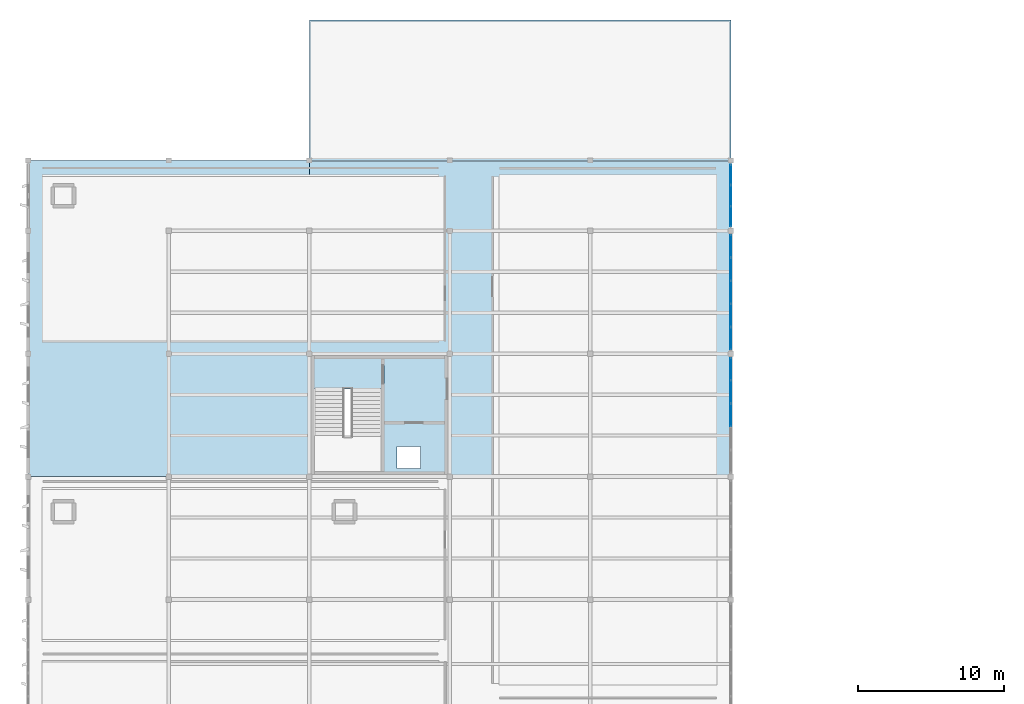
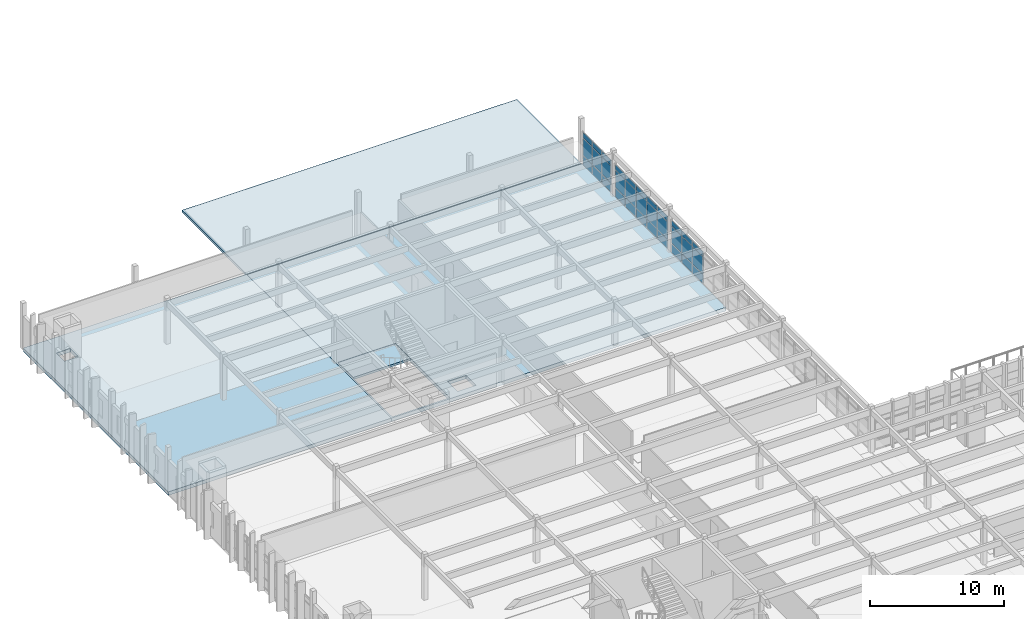
# One storey, part 33 of 61: 33 plates, 4 slabs, 3 elements without a shape of their own.
"""IFC4 building model written with IfcOpenShell, lengths in metres."""

from ifc_helpers import new_model, si_unit, direction, frame, origin, origin_2d, place, context, subcontext, project, spatial, polyline, rectangle, outline, extrude, material, layer, layer_set, type_object, element, aggregate, save


model = new_model("IFC4")

# Units and contexts
model_context = context("Model", 3, precision=1e-05, world=origin(), true_north=direction((0.0, 1.0)))
body_context = subcontext(model_context, "Body", "Model", "MODEL_VIEW")
ifc_project = project(units=[si_unit("LENGTHUNIT", "METRE"), si_unit("AREAUNIT", "SQUARE_METRE"), si_unit("VOLUMEUNIT", "CUBIC_METRE"), si_unit("PLANEANGLEUNIT", "RADIAN"), si_unit("MASSUNIT", "GRAM", prefix="KILO")], contexts=[model_context])

# Site, building, storey
site_placement = place(None, origin())
site = spatial("IfcSite", under=ifc_project, at=site_placement, CompositionType="ELEMENT")
building_placement = place(site_placement, origin())
building = spatial("IfcBuilding", under=site, at=building_placement, Name="Kolvemor Railside Polytechnic", CompositionType="ELEMENT")
storey_placement = place(building_placement, frame((0.0, 0.0, 10.199951171875)))
storey = spatial("IfcBuildingStorey", under=building, at=storey_placement, Name="L02", CompositionType="ELEMENT", Elevation=10.199951171875)

# Curtain wall, plates
ifc_material_1 = material(Name="Anodised marine aluminium and laminated low-E glass", Category="aluminium")
ifc_layer_1 = layer(ifc_material_1, 0.179931640625, Name="CW-UNIT-STD")
ifc_layer_set_1 = layer_set([ifc_layer_1], Name="Anodised marine aluminium and laminated low-E glass")
curtain_wall_type = type_object("IfcCurtainWallType", Name="CW-UNIT-STD", PredefinedType="USERDEFINED", material=ifc_layer_set_1)
curtain_wall_1_placement = place(storey_placement, origin())
curtain_wall_1 = element("IfcCurtainWall", 1, at=curtain_wall_1_placement, inside=storey, type_object=curtain_wall_type, Name="Curtain Wall L02-077", ObjectType="UNITISED CURTAIN WALL", PredefinedType="USERDEFINED")
ifc_material_2 = material(Name="Hurricane-laminated solar-control low-E glass", Category="glass")
ifc_layer_2 = layer(ifc_material_2, 0.0400390625, Name="CWP-GLZ-10")
ifc_layer_set_2 = layer_set([ifc_layer_2], Name="Hurricane-laminated solar-control low-E glass")
plate_type_1 = type_object("IfcPlateType", Name="CWP-GLZ-10", PredefinedType="CURTAIN_PANEL", material=ifc_layer_set_2)
plate_1_placement = place(storey_placement, frame((48.0, 64.199951171875, 0.06494140625), z_axis=(0.0, 0.0, 1.0), x_axis=(0.0, 1.0, 0.0)))
plate_1 = element("IfcPlate", 2, at=plate_1_placement, type_object=plate_type_1, Name="CW-STD panel 3.1", PredefinedType="CURTAIN_PANEL", context=body_context, shape_type="SweptSolid", body=[
    extrude(rectangle(XDim=1.51904296875, YDim=0.0400390625, at=origin_2d()), origin(), (0.0, 0.0, 1.0), 0.802490234375),
])
plate_2_placement = place(storey_placement, frame((48.0, 64.199951171875, 0.9326171875), z_axis=(0.0, 0.0, 1.0), x_axis=(0.0, 1.0, 0.0)))
plate_2 = element("IfcPlate", 3, at=plate_2_placement, type_object=plate_type_1, Name="CW-STD panel 3.2", PredefinedType="CURTAIN_PANEL", context=body_context, shape_type="SweptSolid", body=[
    extrude(rectangle(XDim=1.51904296875, YDim=0.0400390625, at=origin_2d()), origin(), (0.0, 0.0, 1.0), 1.534912109375),
])
plate_3_placement = place(storey_placement, frame((48.0, 64.199951171875, 2.53271484375), z_axis=(0.0, 0.0, 1.0), x_axis=(0.0, 1.0, 0.0)))
plate_3 = element("IfcPlate", 4, at=plate_3_placement, type_object=plate_type_1, Name="CW-STD panel 3.3", PredefinedType="CURTAIN_PANEL", context=body_context, shape_type="SweptSolid", body=[
    extrude(rectangle(XDim=1.51904296875, YDim=0.0400390625, at=origin_2d()), origin(), (0.0, 0.0, 1.0), 0.452392578125),
])
plate_4_placement = place(storey_placement, frame((48.0, 65.783935546875, 0.06494140625), z_axis=(0.0, 0.0, 1.0), x_axis=(0.0, 1.0, 0.0)))
plate_4 = element("IfcPlate", 5, at=plate_4_placement, type_object=plate_type_1, Name="CW-STD panel 4.1", PredefinedType="CURTAIN_PANEL", context=body_context, shape_type="SweptSolid", body=[
    extrude(rectangle(XDim=1.51904296875, YDim=0.0400390625, at=origin_2d()), origin(), (0.0, 0.0, 1.0), 0.802490234375),
])
plate_5_placement = place(storey_placement, frame((48.0, 65.783935546875, 0.9326171875), z_axis=(0.0, 0.0, 1.0), x_axis=(0.0, 1.0, 0.0)))
plate_5 = element("IfcPlate", 6, at=plate_5_placement, type_object=plate_type_1, Name="CW-STD panel 4.2", PredefinedType="CURTAIN_PANEL", context=body_context, shape_type="SweptSolid", body=[
    extrude(rectangle(XDim=1.51904296875, YDim=0.0400390625, at=origin_2d()), origin(), (0.0, 0.0, 1.0), 1.534912109375),
])
plate_6_placement = place(storey_placement, frame((48.0, 65.783935546875, 2.53271484375), z_axis=(0.0, 0.0, 1.0), x_axis=(0.0, 1.0, 0.0)))
plate_6 = element("IfcPlate", 7, at=plate_6_placement, type_object=plate_type_1, Name="CW-STD panel 4.3", PredefinedType="CURTAIN_PANEL", context=body_context, shape_type="SweptSolid", body=[
    extrude(rectangle(XDim=1.51904296875, YDim=0.0400390625, at=origin_2d()), origin(), (0.0, 0.0, 1.0), 0.452392578125),
])
plate_7_placement = place(storey_placement, frame((48.0, 67.351806640625, 0.06494140625), z_axis=(0.0, 0.0, 1.0), x_axis=(0.0, 1.0, 0.0)))
plate_7 = element("IfcPlate", 8, at=plate_7_placement, type_object=plate_type_1, Name="CW-STD panel 5.1", PredefinedType="CURTAIN_PANEL", context=body_context, shape_type="SweptSolid", body=[
    extrude(rectangle(XDim=1.486572265625, YDim=0.0400390625, at=origin_2d()), origin(), (0.0, 0.0, 1.0), 0.802490234375),
])
plate_8_placement = place(storey_placement, frame((48.0, 67.351806640625, 0.9326171875), z_axis=(0.0, 0.0, 1.0), x_axis=(0.0, 1.0, 0.0)))
plate_8 = element("IfcPlate", 9, at=plate_8_placement, type_object=plate_type_1, Name="CW-STD panel 5.2", PredefinedType="CURTAIN_PANEL", context=body_context, shape_type="SweptSolid", body=[
    extrude(rectangle(XDim=1.486572265625, YDim=0.0400390625, at=origin_2d()), origin(), (0.0, 0.0, 1.0), 1.534912109375),
])
plate_9_placement = place(storey_placement, frame((48.0, 67.351806640625, 2.53271484375), z_axis=(0.0, 0.0, 1.0), x_axis=(0.0, 1.0, 0.0)))
plate_9 = element("IfcPlate", 10, at=plate_9_placement, type_object=plate_type_1, Name="CW-STD panel 5.3", PredefinedType="CURTAIN_PANEL", context=body_context, shape_type="SweptSolid", body=[
    extrude(rectangle(XDim=1.486572265625, YDim=0.0400390625, at=origin_2d()), origin(), (0.0, 0.0, 1.0), 0.452392578125),
])
aggregate(curtain_wall_1, [plate_1, plate_2, plate_3, plate_4, plate_5, plate_6, plate_7, plate_8, plate_9])

curtain_wall_2_placement = place(storey_placement, origin())
curtain_wall_2 = element("IfcCurtainWall", 11, at=curtain_wall_2_placement, inside=storey, type_object=curtain_wall_type, Name="Curtain Wall L02-084", ObjectType="UNITISED CURTAIN WALL", PredefinedType="USERDEFINED")
ifc_material_3 = material(Name="Hurricane-laminated solar-control low-E glass", Category="glass")
ifc_layer_3 = layer(ifc_material_3, 0.0419921875, Name="CWP-GLZ-11")
ifc_layer_set_3 = layer_set([ifc_layer_3], Name="Hurricane-laminated solar-control low-E glass")
plate_type_2 = type_object("IfcPlateType", Name="CWP-GLZ-11", PredefinedType="CURTAIN_PANEL", material=ifc_layer_set_3)
plate_10_placement = place(storey_placement, frame((48.0, 69.4482421875, 0.06494140625), z_axis=(0.0, 0.0, 1.0), x_axis=(0.0, 1.0, 0.0)))
plate_10 = element("IfcPlate", 12, at=plate_10_placement, type_object=plate_type_2, Name="CW-STD panel 1.1", PredefinedType="CURTAIN_PANEL", context=body_context, shape_type="SweptSolid", body=[
    extrude(rectangle(XDim=1.486572265625, YDim=0.0419921875, at=origin_2d()), origin(), (0.0, 0.0, 1.0), 0.802490234375),
])
plate_11_placement = place(storey_placement, frame((48.0, 69.4482421875, 0.9326171875), z_axis=(0.0, 0.0, 1.0), x_axis=(0.0, 1.0, 0.0)))
plate_11 = element("IfcPlate", 13, at=plate_11_placement, type_object=plate_type_2, Name="CW-STD panel 1.2", PredefinedType="CURTAIN_PANEL", context=body_context, shape_type="SweptSolid", body=[
    extrude(rectangle(XDim=1.486572265625, YDim=0.0419921875, at=origin_2d()), origin(), (0.0, 0.0, 1.0), 1.534912109375),
])
plate_12_placement = place(storey_placement, frame((48.0, 69.4482421875, 2.53271484375), z_axis=(0.0, 0.0, 1.0), x_axis=(0.0, 1.0, 0.0)))
plate_12 = element("IfcPlate", 14, at=plate_12_placement, type_object=plate_type_2, Name="CW-STD panel 1.3", PredefinedType="CURTAIN_PANEL", context=body_context, shape_type="SweptSolid", body=[
    extrude(rectangle(XDim=1.486572265625, YDim=0.0419921875, at=origin_2d()), origin(), (0.0, 0.0, 1.0), 0.452392578125),
])
plate_13_placement = place(storey_placement, frame((48.0, 71.01611328125, 0.06494140625), z_axis=(0.0, 0.0, 1.0), x_axis=(0.0, 1.0, 0.0)))
plate_13 = element("IfcPlate", 15, at=plate_13_placement, type_object=plate_type_2, Name="CW-STD panel 2.1", PredefinedType="CURTAIN_PANEL", context=body_context, shape_type="SweptSolid", body=[
    extrude(rectangle(XDim=1.51904296875, YDim=0.0419921875, at=origin_2d()), origin(), (0.0, 0.0, 1.0), 0.802490234375),
])
plate_14_placement = place(storey_placement, frame((48.0, 71.01611328125, 0.9326171875), z_axis=(0.0, 0.0, 1.0), x_axis=(0.0, 1.0, 0.0)))
plate_14 = element("IfcPlate", 16, at=plate_14_placement, type_object=plate_type_2, Name="CW-STD panel 2.2", PredefinedType="CURTAIN_PANEL", context=body_context, shape_type="SweptSolid", body=[
    extrude(rectangle(XDim=1.51904296875, YDim=0.0419921875, at=origin_2d()), origin(), (0.0, 0.0, 1.0), 1.534912109375),
])
plate_15_placement = place(storey_placement, frame((48.0, 71.01611328125, 2.53271484375), z_axis=(0.0, 0.0, 1.0), x_axis=(0.0, 1.0, 0.0)))
plate_15 = element("IfcPlate", 17, at=plate_15_placement, type_object=plate_type_2, Name="CW-STD panel 2.3", PredefinedType="CURTAIN_PANEL", context=body_context, shape_type="SweptSolid", body=[
    extrude(rectangle(XDim=1.51904296875, YDim=0.0419921875, at=origin_2d()), origin(), (0.0, 0.0, 1.0), 0.452392578125),
])
plate_16_placement = place(storey_placement, frame((48.0, 72.60009765625, 0.06494140625), z_axis=(0.0, 0.0, 1.0), x_axis=(0.0, 1.0, 0.0)))
plate_16 = element("IfcPlate", 18, at=plate_16_placement, type_object=plate_type_2, Name="CW-STD panel 3.1", PredefinedType="CURTAIN_PANEL", context=body_context, shape_type="SweptSolid", body=[
    extrude(rectangle(XDim=1.51904296875, YDim=0.0419921875, at=origin_2d()), origin(), (0.0, 0.0, 1.0), 0.802490234375),
])
plate_17_placement = place(storey_placement, frame((48.0, 72.60009765625, 0.9326171875), z_axis=(0.0, 0.0, 1.0), x_axis=(0.0, 1.0, 0.0)))
plate_17 = element("IfcPlate", 19, at=plate_17_placement, type_object=plate_type_2, Name="CW-STD panel 3.2", PredefinedType="CURTAIN_PANEL", context=body_context, shape_type="SweptSolid", body=[
    extrude(rectangle(XDim=1.51904296875, YDim=0.0419921875, at=origin_2d()), origin(), (0.0, 0.0, 1.0), 1.534912109375),
])
plate_18_placement = place(storey_placement, frame((48.0, 72.60009765625, 2.53271484375), z_axis=(0.0, 0.0, 1.0), x_axis=(0.0, 1.0, 0.0)))
plate_18 = element("IfcPlate", 20, at=plate_18_placement, type_object=plate_type_2, Name="CW-STD panel 3.3", PredefinedType="CURTAIN_PANEL", context=body_context, shape_type="SweptSolid", body=[
    extrude(rectangle(XDim=1.51904296875, YDim=0.0419921875, at=origin_2d()), origin(), (0.0, 0.0, 1.0), 0.452392578125),
])
plate_19_placement = place(storey_placement, frame((48.0, 74.18408203125, 0.06494140625), z_axis=(0.0, 0.0, 1.0), x_axis=(0.0, 1.0, 0.0)))
plate_19 = element("IfcPlate", 21, at=plate_19_placement, type_object=plate_type_2, Name="CW-STD panel 4.1", PredefinedType="CURTAIN_PANEL", context=body_context, shape_type="SweptSolid", body=[
    extrude(rectangle(XDim=1.51904296875, YDim=0.0419921875, at=origin_2d()), origin(), (0.0, 0.0, 1.0), 0.802490234375),
])
plate_20_placement = place(storey_placement, frame((48.0, 74.18408203125, 0.9326171875), z_axis=(0.0, 0.0, 1.0), x_axis=(0.0, 1.0, 0.0)))
plate_20 = element("IfcPlate", 22, at=plate_20_placement, type_object=plate_type_2, Name="CW-STD panel 4.2", PredefinedType="CURTAIN_PANEL", context=body_context, shape_type="SweptSolid", body=[
    extrude(rectangle(XDim=1.51904296875, YDim=0.0419921875, at=origin_2d()), origin(), (0.0, 0.0, 1.0), 1.534912109375),
])
plate_21_placement = place(storey_placement, frame((48.0, 74.18408203125, 2.53271484375), z_axis=(0.0, 0.0, 1.0), x_axis=(0.0, 1.0, 0.0)))
plate_21 = element("IfcPlate", 23, at=plate_21_placement, type_object=plate_type_2, Name="CW-STD panel 4.3", PredefinedType="CURTAIN_PANEL", context=body_context, shape_type="SweptSolid", body=[
    extrude(rectangle(XDim=1.51904296875, YDim=0.0419921875, at=origin_2d()), origin(), (0.0, 0.0, 1.0), 0.452392578125),
])
plate_22_placement = place(storey_placement, frame((48.0, 75.751708984375, 0.06494140625), z_axis=(0.0, 0.0, 1.0), x_axis=(0.0, 1.0, 0.0)))
plate_22 = element("IfcPlate", 24, at=plate_22_placement, type_object=plate_type_2, Name="CW-STD panel 5.1", PredefinedType="CURTAIN_PANEL", context=body_context, shape_type="SweptSolid", body=[
    extrude(rectangle(XDim=1.486572265625, YDim=0.0419921875, at=origin_2d()), origin(), (0.0, 0.0, 1.0), 0.802490234375),
])
plate_23_placement = place(storey_placement, frame((48.0, 75.751708984375, 0.9326171875), z_axis=(0.0, 0.0, 1.0), x_axis=(0.0, 1.0, 0.0)))
plate_23 = element("IfcPlate", 25, at=plate_23_placement, type_object=plate_type_2, Name="CW-STD panel 5.2", PredefinedType="CURTAIN_PANEL", context=body_context, shape_type="SweptSolid", body=[
    extrude(rectangle(XDim=1.486572265625, YDim=0.0419921875, at=origin_2d()), origin(), (0.0, 0.0, 1.0), 1.534912109375),
])
plate_24_placement = place(storey_placement, frame((48.0, 75.751708984375, 2.53271484375), z_axis=(0.0, 0.0, 1.0), x_axis=(0.0, 1.0, 0.0)))
plate_24 = element("IfcPlate", 26, at=plate_24_placement, type_object=plate_type_2, Name="CW-STD panel 5.3", PredefinedType="CURTAIN_PANEL", context=body_context, shape_type="SweptSolid", body=[
    extrude(rectangle(XDim=1.486572265625, YDim=0.0419921875, at=origin_2d()), origin(), (0.0, 0.0, 1.0), 0.452392578125),
])
aggregate(curtain_wall_2, [plate_10, plate_11, plate_12, plate_13, plate_14, plate_15, plate_16, plate_17, plate_18, plate_19, plate_20, plate_21, plate_22, plate_23, plate_24])

curtain_wall_3_placement = place(storey_placement, origin())
curtain_wall_3 = element("IfcCurtainWall", 27, at=curtain_wall_3_placement, inside=storey, type_object=curtain_wall_type, Name="Curtain Wall L02-091", ObjectType="UNITISED CURTAIN WALL", PredefinedType="USERDEFINED")
ifc_material_4 = material(Name="Hurricane-laminated solar-control low-E glass", Category="glass")
ifc_layer_4 = layer(ifc_material_4, 0.0439453125, Name="CWP-GLZ-12")
ifc_layer_set_4 = layer_set([ifc_layer_4], Name="Hurricane-laminated solar-control low-E glass")
plate_type_3 = type_object("IfcPlateType", Name="CWP-GLZ-12", PredefinedType="CURTAIN_PANEL", material=ifc_layer_set_4)
plate_25_placement = place(storey_placement, frame((48.0, 77.7763671875, 0.06494140625), z_axis=(0.0, 0.0, 1.0), x_axis=(0.0, 1.0, 0.0)))
plate_25 = element("IfcPlate", 28, at=plate_25_placement, type_object=plate_type_3, Name="CW-STD panel 1.1", PredefinedType="CURTAIN_PANEL", context=body_context, shape_type="SweptSolid", body=[
    extrude(rectangle(XDim=1.342529296875, YDim=0.0439453125, at=origin_2d()), origin(), (0.0, 0.0, 1.0), 0.802490234375),
])
plate_26_placement = place(storey_placement, frame((48.0, 77.7763671875, 0.9326171875), z_axis=(0.0, 0.0, 1.0), x_axis=(0.0, 1.0, 0.0)))
plate_26 = element("IfcPlate", 29, at=plate_26_placement, type_object=plate_type_3, Name="CW-STD panel 1.2", PredefinedType="CURTAIN_PANEL", context=body_context, shape_type="SweptSolid", body=[
    extrude(rectangle(XDim=1.342529296875, YDim=0.0439453125, at=origin_2d()), origin(), (0.0, 0.0, 1.0), 1.534912109375),
])
plate_27_placement = place(storey_placement, frame((48.0, 77.7763671875, 2.53271484375), z_axis=(0.0, 0.0, 1.0), x_axis=(0.0, 1.0, 0.0)))
plate_27 = element("IfcPlate", 30, at=plate_27_placement, type_object=plate_type_3, Name="CW-STD panel 1.3", PredefinedType="CURTAIN_PANEL", context=body_context, shape_type="SweptSolid", body=[
    extrude(rectangle(XDim=1.342529296875, YDim=0.0439453125, at=origin_2d()), origin(), (0.0, 0.0, 1.0), 0.452392578125),
])
plate_28_placement = place(storey_placement, frame((48.0, 79.199951171875, 0.06494140625), z_axis=(0.0, 0.0, 1.0), x_axis=(0.0, 1.0, 0.0)))
plate_28 = element("IfcPlate", 31, at=plate_28_placement, type_object=plate_type_3, Name="CW-STD panel 2.1", PredefinedType="CURTAIN_PANEL", context=body_context, shape_type="SweptSolid", body=[
    extrude(rectangle(XDim=1.375, YDim=0.0439453125, at=origin_2d()), origin(), (0.0, 0.0, 1.0), 0.802490234375),
])
plate_29_placement = place(storey_placement, frame((48.0, 79.199951171875, 0.9326171875), z_axis=(0.0, 0.0, 1.0), x_axis=(0.0, 1.0, 0.0)))
plate_29 = element("IfcPlate", 32, at=plate_29_placement, type_object=plate_type_3, Name="CW-STD panel 2.2", PredefinedType="CURTAIN_PANEL", context=body_context, shape_type="SweptSolid", body=[
    extrude(rectangle(XDim=1.375, YDim=0.0439453125, at=origin_2d()), origin(), (0.0, 0.0, 1.0), 1.534912109375),
])
plate_30_placement = place(storey_placement, frame((48.0, 79.199951171875, 2.53271484375), z_axis=(0.0, 0.0, 1.0), x_axis=(0.0, 1.0, 0.0)))
plate_30 = element("IfcPlate", 33, at=plate_30_placement, type_object=plate_type_3, Name="CW-STD panel 2.3", PredefinedType="CURTAIN_PANEL", context=body_context, shape_type="SweptSolid", body=[
    extrude(rectangle(XDim=1.375, YDim=0.0439453125, at=origin_2d()), origin(), (0.0, 0.0, 1.0), 0.452392578125),
])
plate_31_placement = place(storey_placement, frame((48.0, 80.623779296875, 0.06494140625), z_axis=(0.0, 0.0, 1.0), x_axis=(0.0, 1.0, 0.0)))
plate_31 = element("IfcPlate", 34, at=plate_31_placement, type_object=plate_type_3, Name="CW-STD panel 3.1", PredefinedType="CURTAIN_PANEL", context=body_context, shape_type="SweptSolid", body=[
    extrude(rectangle(XDim=1.342529296875, YDim=0.0439453125, at=origin_2d()), origin(), (0.0, 0.0, 1.0), 0.802490234375),
])
plate_32_placement = place(storey_placement, frame((48.0, 80.623779296875, 0.9326171875), z_axis=(0.0, 0.0, 1.0), x_axis=(0.0, 1.0, 0.0)))
plate_32 = element("IfcPlate", 35, at=plate_32_placement, type_object=plate_type_3, Name="CW-STD panel 3.2", PredefinedType="CURTAIN_PANEL", context=body_context, shape_type="SweptSolid", body=[
    extrude(rectangle(XDim=1.342529296875, YDim=0.0439453125, at=origin_2d()), origin(), (0.0, 0.0, 1.0), 1.534912109375),
])
plate_33_placement = place(storey_placement, frame((48.0, 80.623779296875, 2.53271484375), z_axis=(0.0, 0.0, 1.0), x_axis=(0.0, 1.0, 0.0)))
plate_33 = element("IfcPlate", 36, at=plate_33_placement, type_object=plate_type_3, Name="CW-STD panel 3.3", PredefinedType="CURTAIN_PANEL", context=body_context, shape_type="SweptSolid", body=[
    extrude(rectangle(XDim=1.342529296875, YDim=0.0439453125, at=origin_2d()), origin(), (0.0, 0.0, 1.0), 0.452392578125),
])
aggregate(curtain_wall_3, [plate_25, plate_26, plate_27, plate_28, plate_29, plate_30, plate_31, plate_32, plate_33])

# Slabs
ifc_material_5 = material(Name="Concrete C40/50", Category="concrete")
ifc_layer_5 = layer(ifc_material_5, 0.199951171875, Name="SLB-LND-200")
ifc_layer_set_5 = layer_set([ifc_layer_5], Name="Concrete C40/50")
slab_type_1 = type_object("IfcSlabType", Name="SLB-LND-200", PredefinedType="LANDING", material=ifc_layer_set_5)
slab_1_placement = place(storey_placement, frame((0.0, 0.0, -0.199951171875)))
element("IfcSlab", 37, at=slab_1_placement, inside=storey, type_object=slab_type_1, Name="ST-5 Floor Landing L02", PredefinedType="LANDING", context=body_context, shape_type="SweptSolid", body=[
    extrude(outline(polyline([(19.360107421875, 66.0), (24.2900390625, 66.0), (24.2900390625, 68.239990234375), (19.360107421875, 68.239990234375), (19.360107421875, 66.0)])), origin(), (0.0, 0.0, 1.0), 0.199951171875),
])
ifc_material_6 = material(Name="Concrete C40/50", Category="concrete")
ifc_layer_6 = layer(ifc_material_6, 0.320068359375, Name="SLB-POD-SEP")
ifc_layer_set_6 = layer_set([ifc_layer_6], Name="Concrete C40/50")
slab_type_2 = type_object("IfcSlabType", Name="SLB-POD-SEP", PredefinedType="FLOOR", material=ifc_layer_set_6)
slab_2_placement = place(storey_placement, frame((0.0, 0.0, -0.320068359375)))
element("IfcSlab", 38, at=slab_2_placement, inside=storey, type_object=slab_type_2, Name="V3 Seminar L02 Slab L02-65", PredefinedType="FLOOR", context=body_context, shape_type="SweptSolid", body=[
    extrude(outline(polyline([(0.0, 60.0), (19.199951171875, 60.0), (19.199951171875, 81.60009765625), (0.0, 81.60009765625), (0.0, 60.0)]), holes=[polyline([(1.800048828125, 78.60009765625), (3.0, 78.60009765625), (3.0, 79.800048828125), (1.800048828125, 79.800048828125), (1.800048828125, 78.60009765625)])]), origin(), (0.0, 0.0, 1.0), 0.320068359375),
])
slab_3_placement = place(storey_placement, frame((0.0, 0.0, -0.320068359375)))
element("IfcSlab", 39, at=slab_3_placement, inside=storey, type_object=slab_type_2, Name="V3 Seminar L02 Slab L02-68", PredefinedType="FLOOR", context=body_context, shape_type="SweptSolid", body=[
    extrude(outline(polyline([(19.199951171875, 60.0), (48.0, 60.0), (48.0, 81.52490234375), (19.199951171875, 81.52490234375), (19.199951171875, 60.0)]), holes=[polyline([(19.340087890625, 60.139892578125), (24.31005859375, 60.139892578125), (24.31005859375, 68.260009765625), (19.340087890625, 68.260009765625), (19.340087890625, 60.139892578125)]), polyline([(25.199951171875, 60.550048828125), (26.800048828125, 60.550048828125), (26.800048828125, 62.050048828125), (25.199951171875, 62.050048828125), (25.199951171875, 60.550048828125)])]), origin(), (0.0, 0.0, 1.0), 0.320068359375),
])
ifc_material_7 = material(Name="Cross-laminated timber CLT E1", Category="wood")
ifc_layer_7 = layer(ifc_material_7, 0.215087890625, Name="SLB-WG-ROOF")
ifc_layer_set_7 = layer_set([ifc_layer_7], Name="Cross-laminated timber CLT E1")
slab_type_3 = type_object("IfcSlabType", Name="SLB-WG-ROOF", PredefinedType="ROOF", material=ifc_layer_set_7)
slab_4_placement = place(storey_placement, frame((0.0, 0.0, -0.21484375)))
element("IfcSlab", 40, at=slab_4_placement, inside=storey, type_object=slab_type_3, Name="West Link Roof Slab L02-74", PredefinedType="ROOF", context=body_context, shape_type="SweptSolid", body=[
    extrude(outline(polyline([(19.199951171875, 81.60009765625), (48.0, 81.60009765625), (48.0, 91.199951171875), (19.199951171875, 91.199951171875), (19.199951171875, 81.60009765625)])), origin(), (0.0, 0.0, 1.0), 0.21484375),
])

save(model, "model.ifc")
